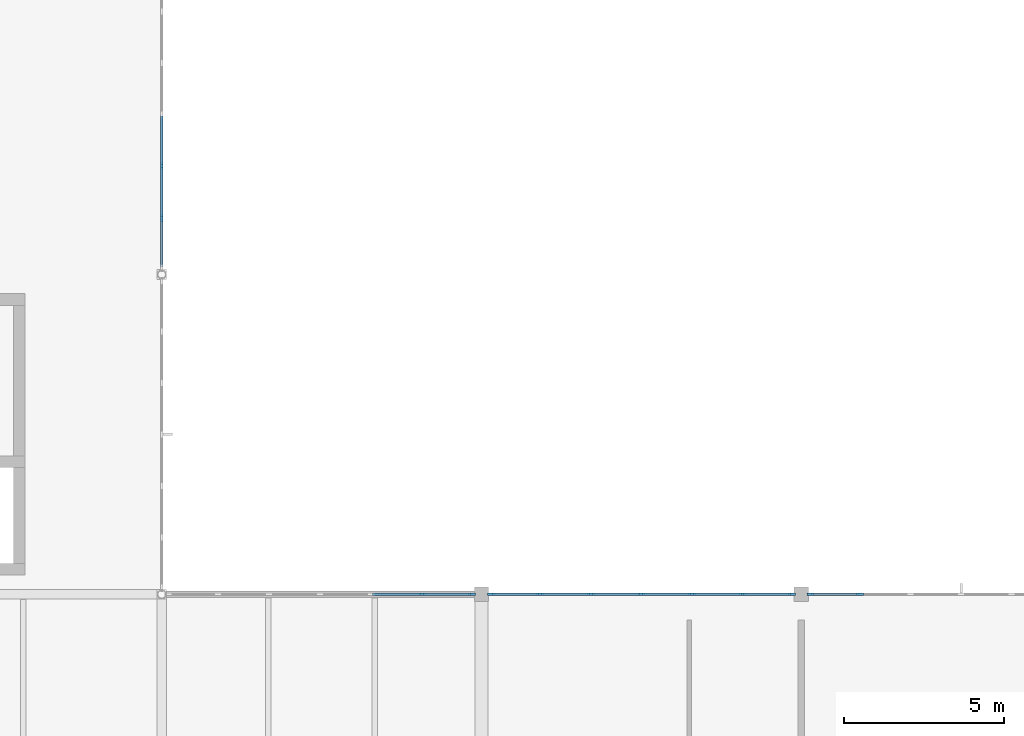
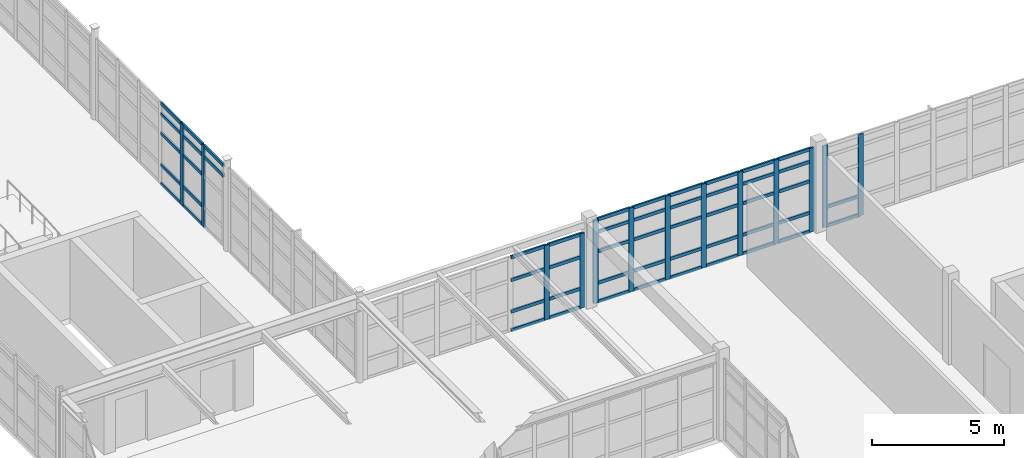
# One storey, part 68 of 122: 65 members, 4 elements without a shape of their own.
"""IFC4 building model written with IfcOpenShell, lengths in metres."""

from ifc_helpers import new_model, si_unit, direction, frame, origin, origin_2d, place, context, subcontext, project, spatial, rectangle, extrude, material, layer, layer_set, material_profile, profile_set, type_object, element, aggregate, save


model = new_model("IFC4")

# Units and contexts
model_context = context("Model", 3, precision=1e-05, world=origin(), true_north=direction((0.0, 1.0)))
body_context = subcontext(model_context, "Body", "Model", "MODEL_VIEW")
ifc_project = project(units=[si_unit("LENGTHUNIT", "METRE"), si_unit("AREAUNIT", "SQUARE_METRE"), si_unit("VOLUMEUNIT", "CUBIC_METRE"), si_unit("PLANEANGLEUNIT", "RADIAN"), si_unit("MASSUNIT", "GRAM", prefix="KILO"), si_unit("THERMODYNAMICTEMPERATUREUNIT", "KELVIN"), si_unit("POWERUNIT", "WATT")], contexts=[model_context])

# Site, building, storey
site_placement = place(None, origin())
site = spatial("IfcSite", under=ifc_project, at=site_placement, CompositionType="ELEMENT")
building_placement = place(site_placement, origin())
building = spatial("IfcBuilding", under=site, at=building_placement, Name="Korenveer Ferry Terminal", CompositionType="ELEMENT")
storey_placement = place(building_placement, frame((0.0, 0.0, 10.199951171875)))
storey = spatial("IfcBuildingStorey", under=building, at=storey_placement, Name="L02", CompositionType="ELEMENT", Elevation=10.199951171875)

# Curtain wall, members
ifc_material_1 = material(Name="Unitised bronze-and-glass curtain wall", Category="glass")
ifc_layer_1 = layer(ifc_material_1, 0.219970703125)
ifc_layer_set_1 = layer_set([ifc_layer_1], Name="Unitised bronze-and-glass curtain wall")
curtain_wall_type_1 = type_object("IfcCurtainWallType", Name="ENV-CW-98", PredefinedType="USERDEFINED", material=ifc_layer_set_1)
curtain_wall_1_placement = place(storey_placement, frame((136.16650390625, 80.0, 0.0)))
curtain_wall_1 = element("IfcCurtainWall", 1, at=curtain_wall_1_placement, inside=storey, type_object=curtain_wall_type_1, Name="Lancet curtain wall CWX-L02-X136-146-Y80-80", ObjectType="UNITISED CURTAIN WALL", PredefinedType="USERDEFINED")
ifc_material_2 = material(Name="Anodised bronze aluminium", Category="aluminium")
ifc_material_profile_1 = material_profile(ifc_material_2, rectangle(XDim=0.074951171875, YDim=0.219970703125, at=origin_2d()), Name="ALU 75x220")
ifc_profile_set_1 = profile_set([ifc_material_profile_1], Name="Anodised bronze aluminium")
member_type_1 = type_object("IfcMemberType", Name="ENV-CWM-75X220", PredefinedType="MULLION", material=ifc_profile_set_1)
member_1_placement = place(storey_placement, frame((144.148681640625, 80.0, 0.0), z_axis=(0.0, 0.0, 1.0), x_axis=(0.0, 1.0, 0.0)))
member_1 = element("IfcMember", 2, at=member_1_placement, type_object=member_type_1, Name="CW-98 mullion 6", PredefinedType="MULLION", context=body_context, shape_type="SweptSolid", body=[
    extrude(rectangle(XDim=0.074951171875, YDim=0.219970703125, at=origin_2d()), origin(), (0.0, 0.0, 1.0), 3.429931640625),
])
member_2_placement = place(storey_placement, frame((145.70751953125, 80.0, 0.0), z_axis=(0.0, 0.0, 1.0), x_axis=(0.0, 1.0, 0.0)))
member_2 = element("IfcMember", 3, at=member_2_placement, type_object=member_type_1, Name="CW-98 mullion 7", PredefinedType="MULLION", context=body_context, shape_type="SweptSolid", body=[
    extrude(rectangle(XDim=0.074951171875, YDim=0.219970703125, at=origin_2d()), origin(), (0.0, 0.0, 1.0), 3.429931640625),
])

ifc_layer_2 = layer(ifc_material_1, 0.219970703125)
ifc_layer_set_2 = layer_set([ifc_layer_2], Name="Unitised bronze-and-glass curtain wall")
curtain_wall_type_2 = type_object("IfcCurtainWallType", Name="ENV-CW-99", PredefinedType="USERDEFINED", material=ifc_layer_set_2)
curtain_wall_2_placement = place(storey_placement, frame((146.2548828125, 80.0, 0.0)))
curtain_wall_2 = element("IfcCurtainWall", 4, at=curtain_wall_2_placement, inside=storey, type_object=curtain_wall_type_2, Name="Lancet curtain wall CWX-L02-X146-156-Y80-80", ObjectType="UNITISED CURTAIN WALL", PredefinedType="USERDEFINED")
member_3_placement = place(storey_placement, frame((146.29248046875, 80.0, 0.0), z_axis=(0.0, 0.0, 1.0), x_axis=(0.0, 1.0, 0.0)))
member_3 = element("IfcMember", 5, at=member_3_placement, type_object=member_type_1, Name="CW-99 mullion 1", PredefinedType="MULLION", context=body_context, shape_type="SweptSolid", body=[
    extrude(rectangle(XDim=0.074951171875, YDim=0.219970703125, at=origin_2d()), origin(), (0.0, 0.0, 1.0), 3.860107421875),
])
member_4_placement = place(storey_placement, frame((147.836669921875, 80.0, 0.0), z_axis=(0.0, 0.0, 1.0), x_axis=(0.0, 1.0, 0.0)))
member_4 = element("IfcMember", 6, at=member_4_placement, type_object=member_type_1, Name="CW-99 mullion 2", PredefinedType="MULLION", context=body_context, shape_type="SweptSolid", body=[
    extrude(rectangle(XDim=0.074951171875, YDim=0.219970703125, at=origin_2d()), origin(), (0.0, 0.0, 1.0), 3.860107421875),
])
member_5_placement = place(storey_placement, frame((149.418212890625, 80.0, 0.0), z_axis=(0.0, 0.0, 1.0), x_axis=(0.0, 1.0, 0.0)))
member_5 = element("IfcMember", 7, at=member_5_placement, type_object=member_type_1, Name="CW-99 mullion 3", PredefinedType="MULLION", context=body_context, shape_type="SweptSolid", body=[
    extrude(rectangle(XDim=0.074951171875, YDim=0.219970703125, at=origin_2d()), origin(), (0.0, 0.0, 1.0), 3.860107421875),
])
member_6_placement = place(storey_placement, frame((151.0, 80.0, 0.0), z_axis=(0.0, 0.0, 1.0), x_axis=(0.0, 1.0, 0.0)))
member_6 = element("IfcMember", 8, at=member_6_placement, type_object=member_type_1, Name="CW-99 mullion 4", PredefinedType="MULLION", context=body_context, shape_type="SweptSolid", body=[
    extrude(rectangle(XDim=0.074951171875, YDim=0.219970703125, at=origin_2d()), origin(), (0.0, 0.0, 1.0), 3.860107421875),
])
member_7_placement = place(storey_placement, frame((152.581787109375, 80.0, 0.0), z_axis=(0.0, 0.0, 1.0), x_axis=(0.0, 1.0, 0.0)))
member_7 = element("IfcMember", 9, at=member_7_placement, type_object=member_type_1, Name="CW-99 mullion 5", PredefinedType="MULLION", context=body_context, shape_type="SweptSolid", body=[
    extrude(rectangle(XDim=0.074951171875, YDim=0.219970703125, at=origin_2d()), origin(), (0.0, 0.0, 1.0), 3.860107421875),
])
member_8_placement = place(storey_placement, frame((154.163330078125, 80.0, 0.0), z_axis=(0.0, 0.0, 1.0), x_axis=(0.0, 1.0, 0.0)))
member_8 = element("IfcMember", 10, at=member_8_placement, type_object=member_type_1, Name="CW-99 mullion 6", PredefinedType="MULLION", context=body_context, shape_type="SweptSolid", body=[
    extrude(rectangle(XDim=0.074951171875, YDim=0.219970703125, at=origin_2d()), origin(), (0.0, 0.0, 1.0), 3.860107421875),
])
member_9_placement = place(storey_placement, frame((155.70751953125, 80.0, 0.0), z_axis=(0.0, 0.0, 1.0), x_axis=(0.0, 1.0, 0.0)))
member_9 = element("IfcMember", 11, at=member_9_placement, type_object=member_type_1, Name="CW-99 mullion 7", PredefinedType="MULLION", context=body_context, shape_type="SweptSolid", body=[
    extrude(rectangle(XDim=0.074951171875, YDim=0.219970703125, at=origin_2d()), origin(), (0.0, 0.0, 1.0), 3.860107421875),
])

ifc_layer_3 = layer(ifc_material_1, 0.219970703125)
ifc_layer_set_3 = layer_set([ifc_layer_3], Name="Unitised bronze-and-glass curtain wall")
curtain_wall_type_3 = type_object("IfcCurtainWallType", Name="ENV-CW-100", PredefinedType="USERDEFINED", material=ifc_layer_set_3)
curtain_wall_3_placement = place(storey_placement, frame((156.2548828125, 80.0, 0.0)))
curtain_wall_3 = element("IfcCurtainWall", 12, at=curtain_wall_3_placement, inside=storey, type_object=curtain_wall_type_3, Name="Lancet curtain wall CWX-L02-X156-166-Y80-80", ObjectType="UNITISED CURTAIN WALL", PredefinedType="USERDEFINED")
member_10_placement = place(storey_placement, frame((156.29248046875, 80.0, 0.0), z_axis=(0.0, 0.0, 1.0), x_axis=(0.0, 1.0, 0.0)))
member_10 = element("IfcMember", 13, at=member_10_placement, type_object=member_type_1, Name="CW-100 mullion 1", PredefinedType="MULLION", context=body_context, shape_type="SweptSolid", body=[
    extrude(rectangle(XDim=0.074951171875, YDim=0.219970703125, at=origin_2d()), origin(), (0.0, 0.0, 1.0), 3.760009765625),
])
member_11_placement = place(storey_placement, frame((157.836669921875, 80.0, 0.0), z_axis=(0.0, 0.0, 1.0), x_axis=(0.0, 1.0, 0.0)))
member_11 = element("IfcMember", 14, at=member_11_placement, type_object=member_type_1, Name="CW-100 mullion 2", PredefinedType="MULLION", context=body_context, shape_type="SweptSolid", body=[
    extrude(rectangle(XDim=0.074951171875, YDim=0.219970703125, at=origin_2d()), origin(), (0.0, 0.0, 1.0), 3.760009765625),
])

ifc_layer_4 = layer(ifc_material_1, 0.219970703125)
ifc_layer_set_4 = layer_set([ifc_layer_4], Name="Unitised bronze-and-glass curtain wall")
curtain_wall_type_4 = type_object("IfcCurtainWallType", Name="ENV-CW-111", PredefinedType="USERDEFINED", material=ifc_layer_set_4)
curtain_wall_4_placement = place(storey_placement, frame((136.0, 99.83349609375, 0.0)))
curtain_wall_4 = element("IfcCurtainWall", 15, at=curtain_wall_4_placement, inside=storey, type_object=curtain_wall_type_4, Name="Lancet curtain wall CWX-L02-X136-136-Y90-100", ObjectType="UNITISED CURTAIN WALL", PredefinedType="USERDEFINED")
member_12_placement = place(storey_placement, frame((136.0, 93.388916015625, 0.0), z_axis=(0.0, 0.0, 1.0), x_axis=(1.0, 0.0, 0.0)))
member_12 = element("IfcMember", 16, at=member_12_placement, type_object=member_type_1, Name="CW-111 mullion 5", PredefinedType="MULLION", context=body_context, shape_type="SweptSolid", body=[
    extrude(rectangle(XDim=0.074951171875, YDim=0.219970703125, at=origin_2d()), origin(), (0.0, 0.0, 1.0), 3.760009765625),
])
member_13_placement = place(storey_placement, frame((136.0, 91.777587890625, 0.0), z_axis=(0.0, 0.0, 1.0), x_axis=(1.0, 0.0, 0.0)))
member_13 = element("IfcMember", 17, at=member_13_placement, type_object=member_type_1, Name="CW-111 mullion 6", PredefinedType="MULLION", context=body_context, shape_type="SweptSolid", body=[
    extrude(rectangle(XDim=0.074951171875, YDim=0.219970703125, at=origin_2d()), origin(), (0.0, 0.0, 1.0), 3.760009765625),
])

# Member
ifc_material_profile_2 = material_profile(ifc_material_2, rectangle(XDim=0.074951171875, YDim=0.14990234375, at=origin_2d()), Name="ALU 75x150")
ifc_profile_set_2 = profile_set([ifc_material_profile_2], Name="Anodised bronze aluminium")
member_type_2 = type_object("IfcMemberType", Name="ENV-CWT-75X150", PredefinedType="USERDEFINED", material=ifc_profile_set_2)
member_14_placement = place(storey_placement, frame((142.589599609375, 80.0, 0.03759765625), z_axis=(1.0, 0.0, 0.0), x_axis=(0.0, 1.0, 0.0)))
member_14 = element("IfcMember", 18, at=member_14_placement, type_object=member_type_2, Name="CW-98 transom 5.1", ObjectType="TRANSOM", PredefinedType="USERDEFINED", context=body_context, shape_type="SweptSolid", body=[
    extrude(rectangle(XDim=0.074951171875, YDim=0.14990234375, at=origin_2d()), origin(), (0.0, 0.0, 1.0), 1.521484375),
])

member_15_placement = place(storey_placement, frame((142.589599609375, 80.0, 0.900146484375), z_axis=(1.0, 0.0, 0.0), x_axis=(0.0, 1.0, 0.0)))
member_15 = element("IfcMember", 19, at=member_15_placement, type_object=member_type_2, Name="CW-98 transom 5.2", ObjectType="TRANSOM", PredefinedType="USERDEFINED", context=body_context, shape_type="SweptSolid", body=[
    extrude(rectangle(XDim=0.074951171875, YDim=0.14990234375, at=origin_2d()), origin(), (0.0, 0.0, 1.0), 1.521484375),
])

member_16_placement = place(storey_placement, frame((142.589599609375, 80.0, 2.35009765625), z_axis=(1.0, 0.0, 0.0), x_axis=(0.0, 1.0, 0.0)))
member_16 = element("IfcMember", 20, at=member_16_placement, type_object=member_type_2, Name="CW-98 transom 5.3", ObjectType="TRANSOM", PredefinedType="USERDEFINED", context=body_context, shape_type="SweptSolid", body=[
    extrude(rectangle(XDim=0.074951171875, YDim=0.14990234375, at=origin_2d()), origin(), (0.0, 0.0, 1.0), 1.521484375),
])

member_17_placement = place(storey_placement, frame((142.589599609375, 80.0, 3.392578125), z_axis=(1.0, 0.0, 0.0), x_axis=(0.0, 1.0, 0.0)))
member_17 = element("IfcMember", 21, at=member_17_placement, type_object=member_type_2, Name="CW-98 transom 5.4", ObjectType="TRANSOM", PredefinedType="USERDEFINED", context=body_context, shape_type="SweptSolid", body=[
    extrude(rectangle(XDim=0.074951171875, YDim=0.14990234375, at=origin_2d()), origin(), (0.0, 0.0, 1.0), 1.521484375),
])

member_18_placement = place(storey_placement, frame((144.18603515625, 80.0, 0.03759765625), z_axis=(1.0, 0.0, 0.0), x_axis=(0.0, 1.0, 0.0)))
member_18 = element("IfcMember", 22, at=member_18_placement, type_object=member_type_2, Name="CW-98 transom 6.1", ObjectType="TRANSOM", PredefinedType="USERDEFINED", context=body_context, shape_type="SweptSolid", body=[
    extrude(rectangle(XDim=0.074951171875, YDim=0.14990234375, at=origin_2d()), origin(), (0.0, 0.0, 1.0), 1.48388671875),
])

member_19_placement = place(storey_placement, frame((144.18603515625, 80.0, 0.900146484375), z_axis=(1.0, 0.0, 0.0), x_axis=(0.0, 1.0, 0.0)))
member_19 = element("IfcMember", 23, at=member_19_placement, type_object=member_type_2, Name="CW-98 transom 6.2", ObjectType="TRANSOM", PredefinedType="USERDEFINED", context=body_context, shape_type="SweptSolid", body=[
    extrude(rectangle(XDim=0.074951171875, YDim=0.14990234375, at=origin_2d()), origin(), (0.0, 0.0, 1.0), 1.48388671875),
])

member_20_placement = place(storey_placement, frame((144.18603515625, 80.0, 2.35009765625), z_axis=(1.0, 0.0, 0.0), x_axis=(0.0, 1.0, 0.0)))
member_20 = element("IfcMember", 24, at=member_20_placement, type_object=member_type_2, Name="CW-98 transom 6.3", ObjectType="TRANSOM", PredefinedType="USERDEFINED", context=body_context, shape_type="SweptSolid", body=[
    extrude(rectangle(XDim=0.074951171875, YDim=0.14990234375, at=origin_2d()), origin(), (0.0, 0.0, 1.0), 1.48388671875),
])

member_21_placement = place(storey_placement, frame((144.18603515625, 80.0, 3.392578125), z_axis=(1.0, 0.0, 0.0), x_axis=(0.0, 1.0, 0.0)))
member_21 = element("IfcMember", 25, at=member_21_placement, type_object=member_type_2, Name="CW-98 transom 6.4", ObjectType="TRANSOM", PredefinedType="USERDEFINED", context=body_context, shape_type="SweptSolid", body=[
    extrude(rectangle(XDim=0.074951171875, YDim=0.14990234375, at=origin_2d()), origin(), (0.0, 0.0, 1.0), 1.48388671875),
])

aggregate(curtain_wall_1, [member_1, member_2, member_14, member_15, member_16, member_17, member_18, member_19, member_20, member_21])

member_22_placement = place(storey_placement, frame((146.330078125, 80.0, 0.03759765625), z_axis=(1.0, 0.0, 0.0), x_axis=(0.0, 1.0, 0.0)))
member_22 = element("IfcMember", 26, at=member_22_placement, type_object=member_type_2, Name="CW-99 transom 1.1", ObjectType="TRANSOM", PredefinedType="USERDEFINED", context=body_context, shape_type="SweptSolid", body=[
    extrude(rectangle(XDim=0.074951171875, YDim=0.14990234375, at=origin_2d()), origin(), (0.0, 0.0, 1.0), 1.468994140625),
])

member_23_placement = place(storey_placement, frame((146.330078125, 80.0, 0.900146484375), z_axis=(1.0, 0.0, 0.0), x_axis=(0.0, 1.0, 0.0)))
member_23 = element("IfcMember", 27, at=member_23_placement, type_object=member_type_2, Name="CW-99 transom 1.2", ObjectType="TRANSOM", PredefinedType="USERDEFINED", context=body_context, shape_type="SweptSolid", body=[
    extrude(rectangle(XDim=0.074951171875, YDim=0.14990234375, at=origin_2d()), origin(), (0.0, 0.0, 1.0), 1.468994140625),
])

member_24_placement = place(storey_placement, frame((146.330078125, 80.0, 2.35009765625), z_axis=(1.0, 0.0, 0.0), x_axis=(0.0, 1.0, 0.0)))
member_24 = element("IfcMember", 28, at=member_24_placement, type_object=member_type_2, Name="CW-99 transom 1.3", ObjectType="TRANSOM", PredefinedType="USERDEFINED", context=body_context, shape_type="SweptSolid", body=[
    extrude(rectangle(XDim=0.074951171875, YDim=0.14990234375, at=origin_2d()), origin(), (0.0, 0.0, 1.0), 1.468994140625),
])

member_25_placement = place(storey_placement, frame((146.330078125, 80.0, 3.25), z_axis=(1.0, 0.0, 0.0), x_axis=(0.0, 1.0, 0.0)))
member_25 = element("IfcMember", 29, at=member_25_placement, type_object=member_type_2, Name="CW-99 transom 1.4", ObjectType="TRANSOM", PredefinedType="USERDEFINED", context=body_context, shape_type="SweptSolid", body=[
    extrude(rectangle(XDim=0.074951171875, YDim=0.14990234375, at=origin_2d()), origin(), (0.0, 0.0, 1.0), 1.468994140625),
])

member_26_placement = place(storey_placement, frame((146.330078125, 80.0, 3.822509765625), z_axis=(1.0, 0.0, 0.0), x_axis=(0.0, 1.0, 0.0)))
member_26 = element("IfcMember", 30, at=member_26_placement, type_object=member_type_2, Name="CW-99 transom 1.5", ObjectType="TRANSOM", PredefinedType="USERDEFINED", context=body_context, shape_type="SweptSolid", body=[
    extrude(rectangle(XDim=0.074951171875, YDim=0.14990234375, at=origin_2d()), origin(), (0.0, 0.0, 1.0), 1.468994140625),
])

member_27_placement = place(storey_placement, frame((147.874267578125, 80.0, 0.03759765625), z_axis=(1.0, 0.0, 0.0), x_axis=(0.0, 1.0, 0.0)))
member_27 = element("IfcMember", 31, at=member_27_placement, type_object=member_type_2, Name="CW-99 transom 2.1", ObjectType="TRANSOM", PredefinedType="USERDEFINED", context=body_context, shape_type="SweptSolid", body=[
    extrude(rectangle(XDim=0.074951171875, YDim=0.14990234375, at=origin_2d()), origin(), (0.0, 0.0, 1.0), 1.506591796875),
])

member_28_placement = place(storey_placement, frame((147.874267578125, 80.0, 0.900146484375), z_axis=(1.0, 0.0, 0.0), x_axis=(0.0, 1.0, 0.0)))
member_28 = element("IfcMember", 32, at=member_28_placement, type_object=member_type_2, Name="CW-99 transom 2.2", ObjectType="TRANSOM", PredefinedType="USERDEFINED", context=body_context, shape_type="SweptSolid", body=[
    extrude(rectangle(XDim=0.074951171875, YDim=0.14990234375, at=origin_2d()), origin(), (0.0, 0.0, 1.0), 1.506591796875),
])

member_29_placement = place(storey_placement, frame((147.874267578125, 80.0, 2.35009765625), z_axis=(1.0, 0.0, 0.0), x_axis=(0.0, 1.0, 0.0)))
member_29 = element("IfcMember", 33, at=member_29_placement, type_object=member_type_2, Name="CW-99 transom 2.3", ObjectType="TRANSOM", PredefinedType="USERDEFINED", context=body_context, shape_type="SweptSolid", body=[
    extrude(rectangle(XDim=0.074951171875, YDim=0.14990234375, at=origin_2d()), origin(), (0.0, 0.0, 1.0), 1.506591796875),
])

member_30_placement = place(storey_placement, frame((147.874267578125, 80.0, 3.25), z_axis=(1.0, 0.0, 0.0), x_axis=(0.0, 1.0, 0.0)))
member_30 = element("IfcMember", 34, at=member_30_placement, type_object=member_type_2, Name="CW-99 transom 2.4", ObjectType="TRANSOM", PredefinedType="USERDEFINED", context=body_context, shape_type="SweptSolid", body=[
    extrude(rectangle(XDim=0.074951171875, YDim=0.14990234375, at=origin_2d()), origin(), (0.0, 0.0, 1.0), 1.506591796875),
])

member_31_placement = place(storey_placement, frame((147.874267578125, 80.0, 3.822509765625), z_axis=(1.0, 0.0, 0.0), x_axis=(0.0, 1.0, 0.0)))
member_31 = element("IfcMember", 35, at=member_31_placement, type_object=member_type_2, Name="CW-99 transom 2.5", ObjectType="TRANSOM", PredefinedType="USERDEFINED", context=body_context, shape_type="SweptSolid", body=[
    extrude(rectangle(XDim=0.074951171875, YDim=0.14990234375, at=origin_2d()), origin(), (0.0, 0.0, 1.0), 1.506591796875),
])

member_32_placement = place(storey_placement, frame((149.455810546875, 80.0, 0.03759765625), z_axis=(1.0, 0.0, 0.0), x_axis=(0.0, 1.0, 0.0)))
member_32 = element("IfcMember", 36, at=member_32_placement, type_object=member_type_2, Name="CW-99 transom 3.1", ObjectType="TRANSOM", PredefinedType="USERDEFINED", context=body_context, shape_type="SweptSolid", body=[
    extrude(rectangle(XDim=0.074951171875, YDim=0.14990234375, at=origin_2d()), origin(), (0.0, 0.0, 1.0), 1.506591796875),
])

member_33_placement = place(storey_placement, frame((149.455810546875, 80.0, 0.900146484375), z_axis=(1.0, 0.0, 0.0), x_axis=(0.0, 1.0, 0.0)))
member_33 = element("IfcMember", 37, at=member_33_placement, type_object=member_type_2, Name="CW-99 transom 3.2", ObjectType="TRANSOM", PredefinedType="USERDEFINED", context=body_context, shape_type="SweptSolid", body=[
    extrude(rectangle(XDim=0.074951171875, YDim=0.14990234375, at=origin_2d()), origin(), (0.0, 0.0, 1.0), 1.506591796875),
])

member_34_placement = place(storey_placement, frame((149.455810546875, 80.0, 2.35009765625), z_axis=(1.0, 0.0, 0.0), x_axis=(0.0, 1.0, 0.0)))
member_34 = element("IfcMember", 38, at=member_34_placement, type_object=member_type_2, Name="CW-99 transom 3.3", ObjectType="TRANSOM", PredefinedType="USERDEFINED", context=body_context, shape_type="SweptSolid", body=[
    extrude(rectangle(XDim=0.074951171875, YDim=0.14990234375, at=origin_2d()), origin(), (0.0, 0.0, 1.0), 1.506591796875),
])

member_35_placement = place(storey_placement, frame((149.455810546875, 80.0, 3.25), z_axis=(1.0, 0.0, 0.0), x_axis=(0.0, 1.0, 0.0)))
member_35 = element("IfcMember", 39, at=member_35_placement, type_object=member_type_2, Name="CW-99 transom 3.4", ObjectType="TRANSOM", PredefinedType="USERDEFINED", context=body_context, shape_type="SweptSolid", body=[
    extrude(rectangle(XDim=0.074951171875, YDim=0.14990234375, at=origin_2d()), origin(), (0.0, 0.0, 1.0), 1.506591796875),
])

member_36_placement = place(storey_placement, frame((149.455810546875, 80.0, 3.822509765625), z_axis=(1.0, 0.0, 0.0), x_axis=(0.0, 1.0, 0.0)))
member_36 = element("IfcMember", 40, at=member_36_placement, type_object=member_type_2, Name="CW-99 transom 3.5", ObjectType="TRANSOM", PredefinedType="USERDEFINED", context=body_context, shape_type="SweptSolid", body=[
    extrude(rectangle(XDim=0.074951171875, YDim=0.14990234375, at=origin_2d()), origin(), (0.0, 0.0, 1.0), 1.506591796875),
])

member_37_placement = place(storey_placement, frame((151.03759765625, 80.0, 0.03759765625), z_axis=(1.0, 0.0, 0.0), x_axis=(0.0, 1.0, 0.0)))
member_37 = element("IfcMember", 41, at=member_37_placement, type_object=member_type_2, Name="CW-99 transom 4.1", ObjectType="TRANSOM", PredefinedType="USERDEFINED", context=body_context, shape_type="SweptSolid", body=[
    extrude(rectangle(XDim=0.074951171875, YDim=0.14990234375, at=origin_2d()), origin(), (0.0, 0.0, 1.0), 1.506591796875),
])

member_38_placement = place(storey_placement, frame((151.03759765625, 80.0, 0.900146484375), z_axis=(1.0, 0.0, 0.0), x_axis=(0.0, 1.0, 0.0)))
member_38 = element("IfcMember", 42, at=member_38_placement, type_object=member_type_2, Name="CW-99 transom 4.2", ObjectType="TRANSOM", PredefinedType="USERDEFINED", context=body_context, shape_type="SweptSolid", body=[
    extrude(rectangle(XDim=0.074951171875, YDim=0.14990234375, at=origin_2d()), origin(), (0.0, 0.0, 1.0), 1.506591796875),
])

member_39_placement = place(storey_placement, frame((151.03759765625, 80.0, 2.35009765625), z_axis=(1.0, 0.0, 0.0), x_axis=(0.0, 1.0, 0.0)))
member_39 = element("IfcMember", 43, at=member_39_placement, type_object=member_type_2, Name="CW-99 transom 4.3", ObjectType="TRANSOM", PredefinedType="USERDEFINED", context=body_context, shape_type="SweptSolid", body=[
    extrude(rectangle(XDim=0.074951171875, YDim=0.14990234375, at=origin_2d()), origin(), (0.0, 0.0, 1.0), 1.506591796875),
])

member_40_placement = place(storey_placement, frame((151.03759765625, 80.0, 3.25), z_axis=(1.0, 0.0, 0.0), x_axis=(0.0, 1.0, 0.0)))
member_40 = element("IfcMember", 44, at=member_40_placement, type_object=member_type_2, Name="CW-99 transom 4.4", ObjectType="TRANSOM", PredefinedType="USERDEFINED", context=body_context, shape_type="SweptSolid", body=[
    extrude(rectangle(XDim=0.074951171875, YDim=0.14990234375, at=origin_2d()), origin(), (0.0, 0.0, 1.0), 1.506591796875),
])

member_41_placement = place(storey_placement, frame((151.03759765625, 80.0, 3.822509765625), z_axis=(1.0, 0.0, 0.0), x_axis=(0.0, 1.0, 0.0)))
member_41 = element("IfcMember", 45, at=member_41_placement, type_object=member_type_2, Name="CW-99 transom 4.5", ObjectType="TRANSOM", PredefinedType="USERDEFINED", context=body_context, shape_type="SweptSolid", body=[
    extrude(rectangle(XDim=0.074951171875, YDim=0.14990234375, at=origin_2d()), origin(), (0.0, 0.0, 1.0), 1.506591796875),
])

member_42_placement = place(storey_placement, frame((152.619140625, 80.0, 0.03759765625), z_axis=(1.0, 0.0, 0.0), x_axis=(0.0, 1.0, 0.0)))
member_42 = element("IfcMember", 46, at=member_42_placement, type_object=member_type_2, Name="CW-99 transom 5.1", ObjectType="TRANSOM", PredefinedType="USERDEFINED", context=body_context, shape_type="SweptSolid", body=[
    extrude(rectangle(XDim=0.074951171875, YDim=0.14990234375, at=origin_2d()), origin(), (0.0, 0.0, 1.0), 1.506591796875),
])

member_43_placement = place(storey_placement, frame((152.619140625, 80.0, 0.900146484375), z_axis=(1.0, 0.0, 0.0), x_axis=(0.0, 1.0, 0.0)))
member_43 = element("IfcMember", 47, at=member_43_placement, type_object=member_type_2, Name="CW-99 transom 5.2", ObjectType="TRANSOM", PredefinedType="USERDEFINED", context=body_context, shape_type="SweptSolid", body=[
    extrude(rectangle(XDim=0.074951171875, YDim=0.14990234375, at=origin_2d()), origin(), (0.0, 0.0, 1.0), 1.506591796875),
])

member_44_placement = place(storey_placement, frame((152.619140625, 80.0, 2.35009765625), z_axis=(1.0, 0.0, 0.0), x_axis=(0.0, 1.0, 0.0)))
member_44 = element("IfcMember", 48, at=member_44_placement, type_object=member_type_2, Name="CW-99 transom 5.3", ObjectType="TRANSOM", PredefinedType="USERDEFINED", context=body_context, shape_type="SweptSolid", body=[
    extrude(rectangle(XDim=0.074951171875, YDim=0.14990234375, at=origin_2d()), origin(), (0.0, 0.0, 1.0), 1.506591796875),
])

member_45_placement = place(storey_placement, frame((152.619140625, 80.0, 3.25), z_axis=(1.0, 0.0, 0.0), x_axis=(0.0, 1.0, 0.0)))
member_45 = element("IfcMember", 49, at=member_45_placement, type_object=member_type_2, Name="CW-99 transom 5.4", ObjectType="TRANSOM", PredefinedType="USERDEFINED", context=body_context, shape_type="SweptSolid", body=[
    extrude(rectangle(XDim=0.074951171875, YDim=0.14990234375, at=origin_2d()), origin(), (0.0, 0.0, 1.0), 1.506591796875),
])

member_46_placement = place(storey_placement, frame((152.619140625, 80.0, 3.822509765625), z_axis=(1.0, 0.0, 0.0), x_axis=(0.0, 1.0, 0.0)))
member_46 = element("IfcMember", 50, at=member_46_placement, type_object=member_type_2, Name="CW-99 transom 5.5", ObjectType="TRANSOM", PredefinedType="USERDEFINED", context=body_context, shape_type="SweptSolid", body=[
    extrude(rectangle(XDim=0.074951171875, YDim=0.14990234375, at=origin_2d()), origin(), (0.0, 0.0, 1.0), 1.506591796875),
])

member_47_placement = place(storey_placement, frame((154.200927734375, 80.0, 0.03759765625), z_axis=(1.0, 0.0, 0.0), x_axis=(0.0, 1.0, 0.0)))
member_47 = element("IfcMember", 51, at=member_47_placement, type_object=member_type_2, Name="CW-99 transom 6.1", ObjectType="TRANSOM", PredefinedType="USERDEFINED", context=body_context, shape_type="SweptSolid", body=[
    extrude(rectangle(XDim=0.074951171875, YDim=0.14990234375, at=origin_2d()), origin(), (0.0, 0.0, 1.0), 1.468994140625),
])

member_48_placement = place(storey_placement, frame((154.200927734375, 80.0, 0.900146484375), z_axis=(1.0, 0.0, 0.0), x_axis=(0.0, 1.0, 0.0)))
member_48 = element("IfcMember", 52, at=member_48_placement, type_object=member_type_2, Name="CW-99 transom 6.2", ObjectType="TRANSOM", PredefinedType="USERDEFINED", context=body_context, shape_type="SweptSolid", body=[
    extrude(rectangle(XDim=0.074951171875, YDim=0.14990234375, at=origin_2d()), origin(), (0.0, 0.0, 1.0), 1.468994140625),
])

member_49_placement = place(storey_placement, frame((154.200927734375, 80.0, 2.35009765625), z_axis=(1.0, 0.0, 0.0), x_axis=(0.0, 1.0, 0.0)))
member_49 = element("IfcMember", 53, at=member_49_placement, type_object=member_type_2, Name="CW-99 transom 6.3", ObjectType="TRANSOM", PredefinedType="USERDEFINED", context=body_context, shape_type="SweptSolid", body=[
    extrude(rectangle(XDim=0.074951171875, YDim=0.14990234375, at=origin_2d()), origin(), (0.0, 0.0, 1.0), 1.468994140625),
])

member_50_placement = place(storey_placement, frame((154.200927734375, 80.0, 3.25), z_axis=(1.0, 0.0, 0.0), x_axis=(0.0, 1.0, 0.0)))
member_50 = element("IfcMember", 54, at=member_50_placement, type_object=member_type_2, Name="CW-99 transom 6.4", ObjectType="TRANSOM", PredefinedType="USERDEFINED", context=body_context, shape_type="SweptSolid", body=[
    extrude(rectangle(XDim=0.074951171875, YDim=0.14990234375, at=origin_2d()), origin(), (0.0, 0.0, 1.0), 1.468994140625),
])

member_51_placement = place(storey_placement, frame((154.200927734375, 80.0, 3.822509765625), z_axis=(1.0, 0.0, 0.0), x_axis=(0.0, 1.0, 0.0)))
member_51 = element("IfcMember", 55, at=member_51_placement, type_object=member_type_2, Name="CW-99 transom 6.5", ObjectType="TRANSOM", PredefinedType="USERDEFINED", context=body_context, shape_type="SweptSolid", body=[
    extrude(rectangle(XDim=0.074951171875, YDim=0.14990234375, at=origin_2d()), origin(), (0.0, 0.0, 1.0), 1.468994140625),
])

aggregate(curtain_wall_2, [member_3, member_4, member_5, member_6, member_7, member_8, member_9, member_22, member_23, member_24, member_25, member_26, member_27, member_28, member_29, member_30, member_31, member_32, member_33, member_34, member_35, member_36, member_37, member_38, member_39, member_40, member_41, member_42, member_43, member_44, member_45, member_46, member_47, member_48, member_49, member_50, member_51])

member_52_placement = place(storey_placement, frame((156.330078125, 80.0, 0.03759765625), z_axis=(1.0, 0.0, 0.0), x_axis=(0.0, 1.0, 0.0)))
member_52 = element("IfcMember", 56, at=member_52_placement, type_object=member_type_2, Name="CW-100 transom 1.1", ObjectType="TRANSOM", PredefinedType="USERDEFINED", context=body_context, shape_type="SweptSolid", body=[
    extrude(rectangle(XDim=0.074951171875, YDim=0.14990234375, at=origin_2d()), origin(), (0.0, 0.0, 1.0), 1.468994140625),
])

member_53_placement = place(storey_placement, frame((156.330078125, 80.0, 0.900146484375), z_axis=(1.0, 0.0, 0.0), x_axis=(0.0, 1.0, 0.0)))
member_53 = element("IfcMember", 57, at=member_53_placement, type_object=member_type_2, Name="CW-100 transom 1.2", ObjectType="TRANSOM", PredefinedType="USERDEFINED", context=body_context, shape_type="SweptSolid", body=[
    extrude(rectangle(XDim=0.074951171875, YDim=0.14990234375, at=origin_2d()), origin(), (0.0, 0.0, 1.0), 1.468994140625),
])

aggregate(curtain_wall_3, [member_10, member_11, member_52, member_53])

member_54_placement = place(storey_placement, frame((136.0, 94.96240234375, 0.03759765625), z_axis=(0.0, -1.0, 0.0), x_axis=(1.0, 0.0, 0.0)))
member_54 = element("IfcMember", 58, at=member_54_placement, type_object=member_type_2, Name="CW-111 transom 4.1", ObjectType="TRANSOM", PredefinedType="USERDEFINED", context=body_context, shape_type="SweptSolid", body=[
    extrude(rectangle(XDim=0.074951171875, YDim=0.14990234375, at=origin_2d()), origin(), (0.0, 0.0, 1.0), 1.5361328125),
])

member_55_placement = place(storey_placement, frame((136.0, 94.96240234375, 0.900146484375), z_axis=(0.0, -1.0, 0.0), x_axis=(1.0, 0.0, 0.0)))
member_55 = element("IfcMember", 59, at=member_55_placement, type_object=member_type_2, Name="CW-111 transom 4.2", ObjectType="TRANSOM", PredefinedType="USERDEFINED", context=body_context, shape_type="SweptSolid", body=[
    extrude(rectangle(XDim=0.074951171875, YDim=0.14990234375, at=origin_2d()), origin(), (0.0, 0.0, 1.0), 1.5361328125),
])

member_56_placement = place(storey_placement, frame((136.0, 94.96240234375, 2.35009765625), z_axis=(0.0, -1.0, 0.0), x_axis=(1.0, 0.0, 0.0)))
member_56 = element("IfcMember", 60, at=member_56_placement, type_object=member_type_2, Name="CW-111 transom 4.3", ObjectType="TRANSOM", PredefinedType="USERDEFINED", context=body_context, shape_type="SweptSolid", body=[
    extrude(rectangle(XDim=0.074951171875, YDim=0.14990234375, at=origin_2d()), origin(), (0.0, 0.0, 1.0), 1.5361328125),
])

member_57_placement = place(storey_placement, frame((136.0, 94.96240234375, 3.25), z_axis=(0.0, -1.0, 0.0), x_axis=(1.0, 0.0, 0.0)))
member_57 = element("IfcMember", 61, at=member_57_placement, type_object=member_type_2, Name="CW-111 transom 4.4", ObjectType="TRANSOM", PredefinedType="USERDEFINED", context=body_context, shape_type="SweptSolid", body=[
    extrude(rectangle(XDim=0.074951171875, YDim=0.14990234375, at=origin_2d()), origin(), (0.0, 0.0, 1.0), 1.5361328125),
])

member_58_placement = place(storey_placement, frame((136.0, 94.96240234375, 3.72265625), z_axis=(0.0, -1.0, 0.0), x_axis=(1.0, 0.0, 0.0)))
member_58 = element("IfcMember", 62, at=member_58_placement, type_object=member_type_2, Name="CW-111 transom 4.5", ObjectType="TRANSOM", PredefinedType="USERDEFINED", context=body_context, shape_type="SweptSolid", body=[
    extrude(rectangle(XDim=0.074951171875, YDim=0.14990234375, at=origin_2d()), origin(), (0.0, 0.0, 1.0), 1.5361328125),
])

member_59_placement = place(storey_placement, frame((136.0, 93.351318359375, 0.03759765625), z_axis=(0.0, -1.0, 0.0), x_axis=(1.0, 0.0, 0.0)))
member_59 = element("IfcMember", 63, at=member_59_placement, type_object=member_type_2, Name="CW-111 transom 5.1", ObjectType="TRANSOM", PredefinedType="USERDEFINED", context=body_context, shape_type="SweptSolid", body=[
    extrude(rectangle(XDim=0.074951171875, YDim=0.14990234375, at=origin_2d()), origin(), (0.0, 0.0, 1.0), 1.5361328125),
])

member_60_placement = place(storey_placement, frame((136.0, 93.351318359375, 0.900146484375), z_axis=(0.0, -1.0, 0.0), x_axis=(1.0, 0.0, 0.0)))
member_60 = element("IfcMember", 64, at=member_60_placement, type_object=member_type_2, Name="CW-111 transom 5.2", ObjectType="TRANSOM", PredefinedType="USERDEFINED", context=body_context, shape_type="SweptSolid", body=[
    extrude(rectangle(XDim=0.074951171875, YDim=0.14990234375, at=origin_2d()), origin(), (0.0, 0.0, 1.0), 1.5361328125),
])

member_61_placement = place(storey_placement, frame((136.0, 93.351318359375, 2.35009765625), z_axis=(0.0, -1.0, 0.0), x_axis=(1.0, 0.0, 0.0)))
member_61 = element("IfcMember", 65, at=member_61_placement, type_object=member_type_2, Name="CW-111 transom 5.3", ObjectType="TRANSOM", PredefinedType="USERDEFINED", context=body_context, shape_type="SweptSolid", body=[
    extrude(rectangle(XDim=0.074951171875, YDim=0.14990234375, at=origin_2d()), origin(), (0.0, 0.0, 1.0), 1.5361328125),
])

member_62_placement = place(storey_placement, frame((136.0, 93.351318359375, 3.25), z_axis=(0.0, -1.0, 0.0), x_axis=(1.0, 0.0, 0.0)))
member_62 = element("IfcMember", 66, at=member_62_placement, type_object=member_type_2, Name="CW-111 transom 5.4", ObjectType="TRANSOM", PredefinedType="USERDEFINED", context=body_context, shape_type="SweptSolid", body=[
    extrude(rectangle(XDim=0.074951171875, YDim=0.14990234375, at=origin_2d()), origin(), (0.0, 0.0, 1.0), 1.5361328125),
])

member_63_placement = place(storey_placement, frame((136.0, 93.351318359375, 3.72265625), z_axis=(0.0, -1.0, 0.0), x_axis=(1.0, 0.0, 0.0)))
member_63 = element("IfcMember", 67, at=member_63_placement, type_object=member_type_2, Name="CW-111 transom 5.5", ObjectType="TRANSOM", PredefinedType="USERDEFINED", context=body_context, shape_type="SweptSolid", body=[
    extrude(rectangle(XDim=0.074951171875, YDim=0.14990234375, at=origin_2d()), origin(), (0.0, 0.0, 1.0), 1.5361328125),
])

member_64_placement = place(storey_placement, frame((136.0, 91.740234375, 3.25), z_axis=(0.0, -1.0, 0.0), x_axis=(1.0, 0.0, 0.0)))
member_64 = element("IfcMember", 68, at=member_64_placement, type_object=member_type_2, Name="CW-111 transom 6.4", ObjectType="TRANSOM", PredefinedType="USERDEFINED", context=body_context, shape_type="SweptSolid", body=[
    extrude(rectangle(XDim=0.074951171875, YDim=0.14990234375, at=origin_2d()), origin(), (0.0, 0.0, 1.0), 1.498779296875),
])

member_65_placement = place(storey_placement, frame((136.0, 91.740234375, 3.72265625), z_axis=(0.0, -1.0, 0.0), x_axis=(1.0, 0.0, 0.0)))
member_65 = element("IfcMember", 69, at=member_65_placement, type_object=member_type_2, Name="CW-111 transom 6.5", ObjectType="TRANSOM", PredefinedType="USERDEFINED", context=body_context, shape_type="SweptSolid", body=[
    extrude(rectangle(XDim=0.074951171875, YDim=0.14990234375, at=origin_2d()), origin(), (0.0, 0.0, 1.0), 1.498779296875),
])

aggregate(curtain_wall_4, [member_12, member_13, member_54, member_55, member_56, member_57, member_58, member_59, member_60, member_61, member_62, member_63, member_64, member_65])

save(model, "model.ifc")
